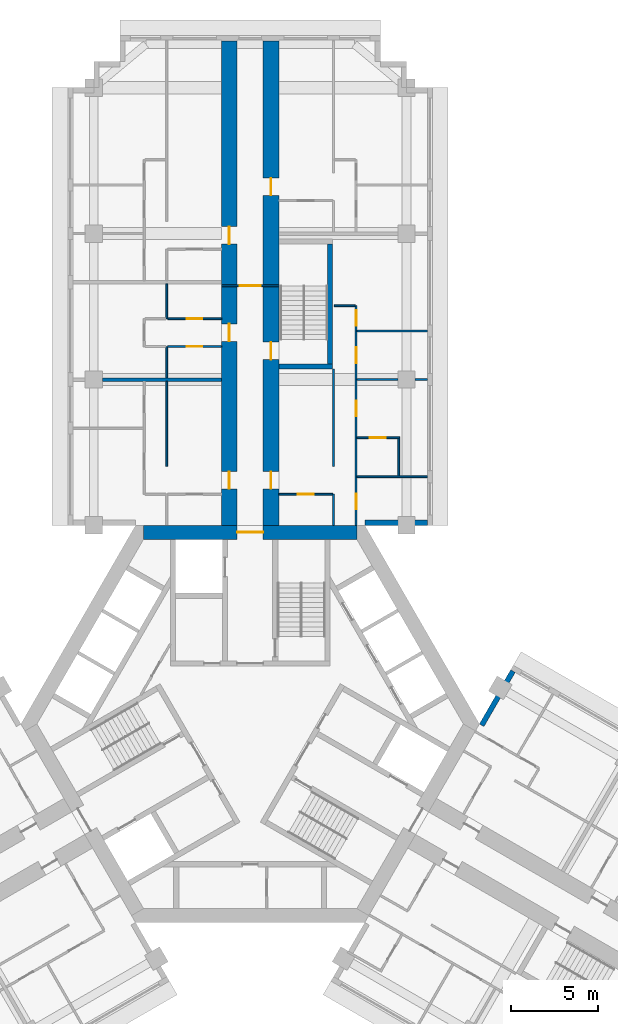
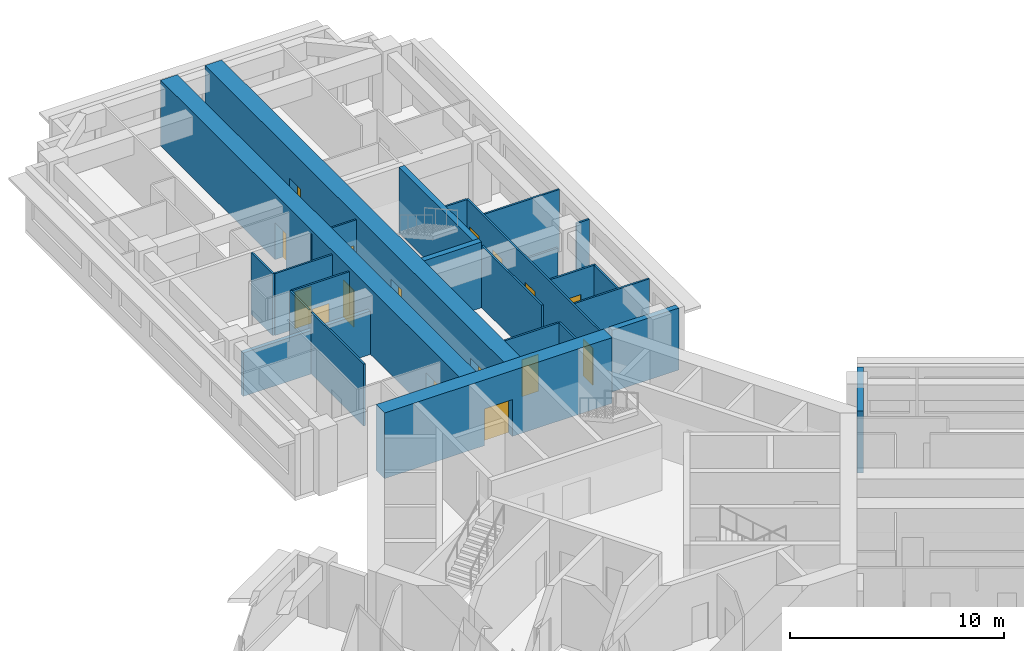
# One storey, part 9 of 14: 25 walls, 16 doors, 16 openings.
"""IFC4 building model written with IfcOpenShell, lengths in metres."""

from ifc_helpers import new_model, si_unit, direction, frame, frame_2d, origin, place, context, subcontext, project, spatial, rectangle, extrude, material, layer, layer_set, type_object, element, fill, save


model = new_model("IFC4")

# Units and contexts
model_context = context("Model", 3, precision=1e-05, world=origin(), true_north=direction((0.0, 1.0)))
body_context = subcontext(model_context, "Body", "Model", "MODEL_VIEW")
ifc_project = project(units=[si_unit("LENGTHUNIT", "METRE"), si_unit("AREAUNIT", "SQUARE_METRE"), si_unit("VOLUMEUNIT", "CUBIC_METRE"), si_unit("PLANEANGLEUNIT", "RADIAN"), si_unit("MASSUNIT", "GRAM", prefix="KILO")], contexts=[model_context])

# Site, building, storey
site_placement = place(None, origin())
site = spatial("IfcSite", under=ifc_project, at=site_placement, CompositionType="ELEMENT")
building_placement = place(site_placement, origin())
building = spatial("IfcBuilding", under=site, at=building_placement, Name="Impinga Residences", CompositionType="ELEMENT")
storey_placement = place(building_placement, frame((0.0, 0.0, 147.25)))
storey = spatial("IfcBuildingStorey", under=building, at=storey_placement, Name="L36", CompositionType="ELEMENT", Elevation=147.25)

# Wall, openings, doors
ifc_material_1 = material(Name="Concrete C60/75", Category="concrete")
ifc_layer_1 = layer(ifc_material_1, 0.89990234375)
ifc_layer_set_1 = layer_set([ifc_layer_1], Name="Concrete C60/75")
wall_type_1 = type_object("IfcWallType", Name="BW2 corridor buttress wall, L24 to L44 900", PredefinedType="SHEAR", material=ifc_layer_set_1)
wall_1_placement = place(storey_placement, frame((-1.199951171875, 11.031494140625, 0.0), z_axis=(0.0, 0.0, 1.0), x_axis=(0.0, 1.0, 0.0)))
wall_1 = element("IfcWall", 1, at=wall_1_placement, inside=storey, type_object=wall_type_1, Name="Corridor wall BW2 NC L36", PredefinedType="SHEAR", context=body_context, shape_type="SweptSolid", body=[
    extrude(rectangle(XDim=28.300048828125, YDim=0.89990234375, at=frame_2d((14.14990234375, 0.0))), origin(), (0.0, 0.0, 1.0), 3.75),
])
opening_1_placement = place(wall_1_placement, frame((2.5, 0.0, 0.0)))
opening_1 = element("IfcOpeningElement", 2, at=opening_1_placement, cuts=wall_1, Name="Opening D1", PredefinedType="OPENING", context=body_context, shape_type="SweptSolid", body=[
    extrude(rectangle(XDim=1.0, YDim=2.10009765625, at=frame_2d((0.5, 1.050048828125))), frame((0.0, 0.4599609375, 0.0), z_axis=(0.0, -1.0, 0.0), x_axis=(1.0, 0.0, 0.0)), (0.0, 0.0, 1.0), 0.919921875),
])
opening_2_placement = place(wall_1_placement, frame((11.0, 0.0, 0.0)))
opening_2 = element("IfcOpeningElement", 3, at=opening_2_placement, cuts=wall_1, Name="Opening D1", PredefinedType="OPENING", context=body_context, shape_type="SweptSolid", body=[
    extrude(rectangle(XDim=1.0, YDim=2.10009765625, at=frame_2d((0.5, 1.050048828125))), frame((0.0, 0.4599609375, 0.0), z_axis=(0.0, -1.0, 0.0), x_axis=(1.0, 0.0, 0.0)), (0.0, 0.0, 1.0), 0.919921875),
])
opening_3_placement = place(wall_1_placement, frame((16.60009765625, 0.0, 0.0)))
opening_3 = element("IfcOpeningElement", 4, at=opening_3_placement, cuts=wall_1, Name="Opening D1", PredefinedType="OPENING", context=body_context, shape_type="SweptSolid", body=[
    extrude(rectangle(XDim=1.0, YDim=2.10009765625, at=frame_2d((0.5, 1.050048828125))), frame((0.0, 0.4599609375, 0.0), z_axis=(0.0, -1.0, 0.0), x_axis=(1.0, 0.0, 0.0)), (0.0, 0.0, 1.0), 0.919921875),
])
ifc_material_2 = material(Name="Timber door set", Category="wood")
door_type_1 = type_object("IfcDoorType", Name="D1 apartment entrance door 1000x2100", OperationType="SINGLE_SWING_LEFT", PredefinedType="DOOR", material=ifc_material_2)
door_1_placement = place(opening_1_placement, origin())
door_1 = element("IfcDoor", 5, at=door_1_placement, inside=storey, type_object=door_type_1, Name="Apartment L36-NA1 entrance", OperationType="SINGLE_SWING_LEFT", OverallHeight=2.10009765625, OverallWidth=1.0, PredefinedType="DOOR", context=body_context, shape_type="SweptSolid", body=[
    extrude(rectangle(XDim=1.0, YDim=2.10009765625, at=frame_2d((0.5, 1.050048828125))), frame((0.0, 0.02490234375, 0.0), z_axis=(0.0, -1.0, 0.0), x_axis=(1.0, 0.0, 0.0)), (0.0, 0.0, 1.0), 0.050048828125),
])
fill(opening_1, door_1)
door_2_placement = place(opening_2_placement, origin())
door_2 = element("IfcDoor", 6, at=door_2_placement, inside=storey, type_object=door_type_1, Name="Apartment L36-NA2 entrance", OperationType="SINGLE_SWING_LEFT", OverallHeight=2.10009765625, OverallWidth=1.0, PredefinedType="DOOR", context=body_context, shape_type="SweptSolid", body=[
    extrude(rectangle(XDim=1.0, YDim=2.10009765625, at=frame_2d((0.5, 1.050048828125))), frame((0.0, 0.02490234375, 0.0), z_axis=(0.0, -1.0, 0.0), x_axis=(1.0, 0.0, 0.0)), (0.0, 0.0, 1.0), 0.050048828125),
])
fill(opening_2, door_2)
door_3_placement = place(opening_3_placement, origin())
door_3 = element("IfcDoor", 7, at=door_3_placement, inside=storey, type_object=door_type_1, Name="Apartment L36-NA3 entrance", OperationType="SINGLE_SWING_RIGHT", OverallHeight=2.10009765625, OverallWidth=1.0, PredefinedType="DOOR", context=body_context, shape_type="SweptSolid", body=[
    extrude(rectangle(XDim=1.0, YDim=2.10009765625, at=frame_2d((0.5, 1.050048828125))), frame((0.0, 0.02490234375, 0.0), z_axis=(0.0, -1.0, 0.0), x_axis=(1.0, 0.0, 0.0)), (0.0, 0.0, 1.0), 0.050048828125),
])
fill(opening_3, door_3)

wall_2_placement = place(storey_placement, frame((1.199951171875, 11.031494140625, 0.0), z_axis=(0.0, 0.0, 1.0), x_axis=(0.0, 1.0, 0.0)))
wall_2 = element("IfcWall", 8, at=wall_2_placement, inside=storey, type_object=wall_type_1, Name="Corridor wall BW2 ND L36", PredefinedType="SHEAR", context=body_context, shape_type="SweptSolid", body=[
    extrude(rectangle(XDim=28.300048828125, YDim=0.89990234375, at=frame_2d((14.14990234375, 0.0))), origin(), (0.0, 0.0, 1.0), 3.75),
])
opening_4_placement = place(wall_2_placement, frame((9.949951171875, 0.0, 0.0)))
opening_4 = element("IfcOpeningElement", 9, at=opening_4_placement, cuts=wall_2, Name="Opening D5", PredefinedType="OPENING", context=body_context, shape_type="SweptSolid", body=[
    extrude(rectangle(XDim=1.0, YDim=2.10009765625, at=frame_2d((0.5, 1.050048828125))), frame((0.0, 0.4599609375, 0.0), z_axis=(0.0, -1.0, 0.0), x_axis=(1.0, 0.0, 0.0)), (0.0, 0.0, 1.0), 0.919921875),
])
opening_5_placement = place(wall_2_placement, frame((2.5, 0.0, 0.0)))
opening_5 = element("IfcOpeningElement", 10, at=opening_5_placement, cuts=wall_2, Name="Opening D1", PredefinedType="OPENING", context=body_context, shape_type="SweptSolid", body=[
    extrude(rectangle(XDim=1.0, YDim=2.10009765625, at=frame_2d((0.5, 1.050048828125))), frame((0.0, 0.4599609375, 0.0), z_axis=(0.0, -1.0, 0.0), x_axis=(1.0, 0.0, 0.0)), (0.0, 0.0, 1.0), 0.919921875),
])
opening_6_placement = place(wall_2_placement, frame((19.39990234375, 0.0, 0.0)))
opening_6 = element("IfcOpeningElement", 11, at=opening_6_placement, cuts=wall_2, Name="Opening D1", PredefinedType="OPENING", context=body_context, shape_type="SweptSolid", body=[
    extrude(rectangle(XDim=1.0, YDim=2.10009765625, at=frame_2d((0.5, 1.050048828125))), frame((0.0, 0.4599609375, 0.0), z_axis=(0.0, -1.0, 0.0), x_axis=(1.0, 0.0, 0.0)), (0.0, 0.0, 1.0), 0.919921875),
])
door_4_placement = place(opening_5_placement, origin())
door_4 = element("IfcDoor", 12, at=door_4_placement, inside=storey, type_object=door_type_1, Name="Apartment L36-NF1 entrance", OperationType="SINGLE_SWING_LEFT", OverallHeight=2.10009765625, OverallWidth=1.0, PredefinedType="DOOR", context=body_context, shape_type="SweptSolid", body=[
    extrude(rectangle(XDim=1.0, YDim=2.10009765625, at=frame_2d((0.5, 1.050048828125))), frame((0.0, 0.02490234375, 0.0), z_axis=(0.0, -1.0, 0.0), x_axis=(1.0, 0.0, 0.0)), (0.0, 0.0, 1.0), 0.050048828125),
])
fill(opening_5, door_4)
door_5_placement = place(opening_6_placement, origin())
door_5 = element("IfcDoor", 13, at=door_5_placement, inside=storey, type_object=door_type_1, Name="Apartment L36-NF2 entrance", OperationType="SINGLE_SWING_RIGHT", OverallHeight=2.10009765625, OverallWidth=1.0, PredefinedType="DOOR", context=body_context, shape_type="SweptSolid", body=[
    extrude(rectangle(XDim=1.0, YDim=2.10009765625, at=frame_2d((0.5, 1.050048828125))), frame((0.0, 0.02490234375, 0.0), z_axis=(0.0, -1.0, 0.0), x_axis=(1.0, 0.0, 0.0)), (0.0, 0.0, 1.0), 0.050048828125),
])
fill(opening_6, door_5)
door_type_2 = type_object("IfcDoorType", Name="D5 stair door 1000x2100", OperationType="SINGLE_SWING_LEFT", PredefinedType="DOOR", material=ifc_material_2)
door_6_placement = place(opening_4_placement, origin())
door_6 = element("IfcDoor", 14, at=door_6_placement, inside=storey, type_object=door_type_2, Name="Wing stair door N", OperationType="SINGLE_SWING_LEFT", OverallHeight=2.10009765625, OverallWidth=1.0, PredefinedType="DOOR", context=body_context, shape_type="SweptSolid", body=[
    extrude(rectangle(XDim=1.0, YDim=2.10009765625, at=frame_2d((0.5, 1.050048828125))), frame((0.0, 0.02490234375, 0.0), z_axis=(0.0, -1.0, 0.0), x_axis=(1.0, 0.0, 0.0)), (0.0, 0.0, 1.0), 0.050048828125),
])
fill(opening_4, door_6)

# Wall, opening, door
ifc_material_3 = material(Name="Concrete blockwork", Category="masonry")
ifc_layer_2 = layer(ifc_material_3, 0.10009765625)
ifc_layer_set_2 = layer_set([ifc_layer_2], Name="CP1 core room partition, blockwork 100")
wall_type_2 = type_object("IfcWallType", Name="CP1 core room partition, blockwork 100", PredefinedType="PARTITIONING", material=ifc_layer_set_2)
wall_3_placement = place(storey_placement, frame((-1.64990234375, 25.2314453125, 0.0), z_axis=(0.0, 0.0, 1.0), x_axis=(1.0, 0.0, 0.0)))
wall_3 = element("IfcWall", 15, at=wall_3_placement, inside=storey, type_object=wall_type_2, Name="Core room partition, blockwork L36:N:PLB", PredefinedType="PARTITIONING", context=body_context, shape_type="SweptSolid", body=[
    extrude(rectangle(XDim=3.2998046875, YDim=0.10009765625, at=frame_2d((1.64990234375, 0.0))), origin(), (0.0, 0.0, 1.0), 3.530029296875),
])
opening_7_placement = place(wall_3_placement, frame((1.050048828125, 0.0, 0.0)))
opening_7 = element("IfcOpeningElement", 16, at=opening_7_placement, cuts=wall_3, Name="Opening D3", PredefinedType="OPENING", context=body_context, shape_type="SweptSolid", body=[
    extrude(rectangle(XDim=1.199951171875, YDim=2.10009765625, at=frame_2d((0.60009765625, 1.050048828125))), frame((0.0, 0.06005859375, 0.0), z_axis=(0.0, -1.0, 0.0), x_axis=(1.0, 0.0, 0.0)), (0.0, 0.0, 1.0), 0.1201171875),
])
door_type_3 = type_object("IfcDoorType", Name="D3 room door, leaf and a half 1200x2100", OperationType="DOUBLE_SWING_LEFT", PredefinedType="DOOR", material=ifc_material_2)
door_7_placement = place(opening_7_placement, origin())
door_7 = element("IfcDoor", 17, at=door_7_placement, inside=storey, type_object=door_type_3, Name="Private lobby door N", OperationType="DOUBLE_SWING_LEFT", OverallHeight=2.10009765625, OverallWidth=1.199951171875, PredefinedType="DOOR", context=body_context, shape_type="SweptSolid", body=[
    extrude(rectangle(XDim=1.199951171875, YDim=2.10009765625, at=frame_2d((0.60009765625, 1.050048828125))), frame((0.0, 0.02490234375, 0.0), z_axis=(0.0, -1.0, 0.0), x_axis=(1.0, 0.0, 0.0)), (0.0, 0.0, 1.0), 0.050048828125),
])
fill(opening_7, door_7)

# Walls
ifc_material_4 = material(Name="Terracotta rainscreen on blockwork", Category="masonry")
ifc_layer_3 = layer(ifc_material_4, 0.300048828125)
ifc_layer_set_3 = layer_set([ifc_layer_3], Name="EW1 external wall, terracotta rainscreen on blockwork 300")
wall_type_3 = type_object("IfcWallType", Name="EW1 external wall, terracotta rainscreen on blockwork 300", PredefinedType="SOLIDWALL", material=ifc_layer_set_3)
wall_4_placement = place(storey_placement, frame((10.199951171875, 11.58154296875, 0.0), z_axis=(0.0, 0.0, 1.0), x_axis=(-1.0, 0.0, 0.0)))
element("IfcWall", 18, at=wall_4_placement, inside=storey, type_object=wall_type_3, Name="External wall EW1 L36", PredefinedType="SOLIDWALL", context=body_context, shape_type="SweptSolid", body=[
    extrude(rectangle(XDim=3.599853515625, YDim=0.300048828125, at=frame_2d((1.7998046875, 0.0))), origin(), (0.0, 0.0, 1.0), 3.530029296875),
])
wall_5_placement = place(storey_placement, frame((13.329833984375, -0.074951171875, 0.0), z_axis=(0.0, 0.0, 1.0), x_axis=(0.500012057535, 0.866018442252, 0.0)))
element("IfcWall", 19, at=wall_5_placement, inside=storey, type_object=wall_type_3, Name="External wall EW1 L36", PredefinedType="SOLIDWALL", context=body_context, shape_type="SweptSolid", body=[
    extrude(rectangle(XDim=3.60009765625, YDim=0.300048828125, at=frame_2d((1.800048828125, 0.0))), origin(), (0.0, 0.0, 1.0), 3.530029296875),
])
ifc_material_5 = material(Name="Gypsum board on steel studs", Category="steel")
ifc_layer_4 = layer(ifc_material_5, 0.10009765625)
ifc_layer_set_4 = layer_set([ifc_layer_4], Name="Gypsum board on steel studs")
wall_type_4 = type_object("IfcWallType", Name="IP1 partition 100", PredefinedType="PARTITIONING", material=ifc_layer_set_4)
wall_6_placement = place(storey_placement, frame((-4.800048828125, 14.83154296875, 0.0), z_axis=(0.0, 0.0, 1.0), x_axis=(0.0, 1.0, 0.0)))
element("IfcWall", 20, at=wall_6_placement, inside=storey, type_object=wall_type_4, Name="Partition L36-NA1:DIV1", PredefinedType="PARTITIONING", context=body_context, shape_type="SweptSolid", body=[
    extrude(rectangle(XDim=4.89990234375, YDim=0.10009765625, at=frame_2d((2.449951171875, 0.0))), origin(), (0.0, 0.0, 1.0), 3.530029296875),
])
wall_7_placement = place(storey_placement, frame((-4.800048828125, 19.931640625, 0.0), z_axis=(0.0, 0.0, 1.0), x_axis=(0.0, 1.0, 0.0)))
element("IfcWall", 21, at=wall_7_placement, inside=storey, type_object=wall_type_4, Name="Partition L36-NA2:DIV0", PredefinedType="PARTITIONING", context=body_context, shape_type="SweptSolid", body=[
    extrude(rectangle(XDim=1.7998046875, YDim=0.10009765625, at=frame_2d((0.89990234375, 0.0))), origin(), (0.0, 0.0, 1.0), 3.530029296875),
])
wall_8_placement = place(storey_placement, frame((-4.800048828125, 23.33154296875, 0.0), z_axis=(0.0, 0.0, 1.0), x_axis=(0.0, 1.0, 0.0)))
element("IfcWall", 22, at=wall_8_placement, inside=storey, type_object=wall_type_4, Name="Partition L36-NA2:DIV1", PredefinedType="PARTITIONING", context=body_context, shape_type="SweptSolid", body=[
    extrude(rectangle(XDim=2.0, YDim=0.10009765625, at=frame_2d((1.0, 0.0))), origin(), (0.0, 0.0, 1.0), 3.530029296875),
])

# Wall, opening, door
wall_9_placement = place(storey_placement, frame((-1.64990234375, 21.7314453125, 0.0), z_axis=(0.0, 0.0, 1.0), x_axis=(-1.0, 0.0, 0.0)))
wall_9 = element("IfcWall", 23, at=wall_9_placement, inside=storey, type_object=wall_type_4, Name="Partition L36-NA2:IB1", PredefinedType="PARTITIONING", context=body_context, shape_type="SweptSolid", body=[
    extrude(rectangle(XDim=3.10009765625, YDim=0.10009765625, at=frame_2d((1.550048828125, 0.0))), origin(), (0.0, 0.0, 1.0), 3.530029296875),
])
opening_8_placement = place(wall_9_placement, frame((1.10009765625, 0.0, 0.0)))
opening_8 = element("IfcOpeningElement", 24, at=opening_8_placement, cuts=wall_9, Name="Opening D2", PredefinedType="OPENING", context=body_context, shape_type="SweptSolid", body=[
    extrude(rectangle(XDim=0.89990234375, YDim=2.10009765625, at=frame_2d((0.449951171875, 1.050048828125))), frame((0.0, 0.06005859375, 0.0), z_axis=(0.0, -1.0, 0.0), x_axis=(1.0, 0.0, 0.0)), (0.0, 0.0, 1.0), 0.1201171875),
])
door_type_4 = type_object("IfcDoorType", Name="D2 internal door 900x2100", OperationType="SINGLE_SWING_LEFT", PredefinedType="DOOR", material=ifc_material_2)
door_8_placement = place(opening_8_placement, origin())
door_8 = element("IfcDoor", 25, at=door_8_placement, inside=storey, type_object=door_type_4, Name="Apartment L36-NA2 bathroom door", OperationType="SINGLE_SWING_LEFT", OverallHeight=2.10009765625, OverallWidth=0.89990234375, PredefinedType="DOOR", context=body_context, shape_type="SweptSolid", body=[
    extrude(rectangle(XDim=0.89990234375, YDim=2.10009765625, at=frame_2d((0.449951171875, 1.050048828125))), frame((0.0, 0.02490234375, 0.0), z_axis=(0.0, -1.0, 0.0), x_axis=(1.0, 0.0, 0.0)), (0.0, 0.0, 1.0), 0.050048828125),
])
fill(opening_8, door_8)

wall_10_placement = place(storey_placement, frame((-1.64990234375, 23.33154296875, 0.0), z_axis=(0.0, 0.0, 1.0), x_axis=(-1.0, 0.0, 0.0)))
wall_10 = element("IfcWall", 26, at=wall_10_placement, inside=storey, type_object=wall_type_4, Name="Partition L36-NA2:IB2", PredefinedType="PARTITIONING", context=body_context, shape_type="SweptSolid", body=[
    extrude(rectangle(XDim=3.10009765625, YDim=0.10009765625, at=frame_2d((1.550048828125, 0.0))), origin(), (0.0, 0.0, 1.0), 3.530029296875),
])
opening_9_placement = place(wall_10_placement, frame((1.10009765625, 0.0, 0.0)))
opening_9 = element("IfcOpeningElement", 27, at=opening_9_placement, cuts=wall_10, Name="Opening D2", PredefinedType="OPENING", context=body_context, shape_type="SweptSolid", body=[
    extrude(rectangle(XDim=0.89990234375, YDim=2.10009765625, at=frame_2d((0.449951171875, 1.050048828125))), frame((0.0, 0.06005859375, 0.0), z_axis=(0.0, -1.0, 0.0), x_axis=(1.0, 0.0, 0.0)), (0.0, 0.0, 1.0), 0.1201171875),
])
door_9_placement = place(opening_9_placement, origin())
door_9 = element("IfcDoor", 28, at=door_9_placement, inside=storey, type_object=door_type_4, Name="Apartment L36-NA2 WC door", OperationType="SINGLE_SWING_LEFT", OverallHeight=2.10009765625, OverallWidth=0.89990234375, PredefinedType="DOOR", context=body_context, shape_type="SweptSolid", body=[
    extrude(rectangle(XDim=0.89990234375, YDim=2.10009765625, at=frame_2d((0.449951171875, 1.050048828125))), frame((0.0, 0.02490234375, 0.0), z_axis=(0.0, -1.0, 0.0), x_axis=(1.0, 0.0, 0.0)), (0.0, 0.0, 1.0), 0.050048828125),
])
fill(opening_9, door_9)

# Walls
wall_11_placement = place(storey_placement, frame((4.800048828125, 11.431640625, 0.0), z_axis=(0.0, 0.0, 1.0), x_axis=(0.0, 1.0, 0.0)))
element("IfcWall", 29, at=wall_11_placement, inside=storey, type_object=wall_type_4, Name="Partition L36-NF1:DIV0", PredefinedType="PARTITIONING", context=body_context, shape_type="SweptSolid", body=[
    extrude(rectangle(XDim=1.7998046875, YDim=0.10009765625, at=frame_2d((0.89990234375, 0.0))), origin(), (0.0, 0.0, 1.0), 3.530029296875),
])
wall_12_placement = place(storey_placement, frame((4.800048828125, 14.83154296875, 0.0), z_axis=(0.0, 0.0, 1.0), x_axis=(0.0, 1.0, 0.0)))
element("IfcWall", 30, at=wall_12_placement, inside=storey, type_object=wall_type_4, Name="Partition L36-NF1:DIV1", PredefinedType="PARTITIONING", context=body_context, shape_type="SweptSolid", body=[
    extrude(rectangle(XDim=5.60009765625, YDim=0.10009765625, at=frame_2d((2.800048828125, 0.0))), origin(), (0.0, 0.0, 1.0), 3.530029296875),
])

# Wall, openings, doors
wall_13_placement = place(storey_placement, frame((6.10009765625, 11.431640625, 0.0), z_axis=(0.0, 0.0, 1.0), x_axis=(0.0, 1.0, 0.0)))
wall_13 = element("IfcWall", 31, at=wall_13_placement, inside=storey, type_object=wall_type_4, Name="Partition L36-NF1:STRIP", PredefinedType="PARTITIONING", context=body_context, shape_type="SweptSolid", body=[
    extrude(rectangle(XDim=12.64990234375, YDim=0.10009765625, at=frame_2d((6.324951171875, 0.0))), origin(), (0.0, 0.0, 1.0), 3.530029296875),
])
opening_10_placement = place(wall_13_placement, frame((0.925048828125, 0.0, 0.0)))
opening_10 = element("IfcOpeningElement", 32, at=opening_10_placement, cuts=wall_13, Name="Opening D2", PredefinedType="OPENING", context=body_context, shape_type="SweptSolid", body=[
    extrude(rectangle(XDim=0.89990234375, YDim=2.10009765625, at=frame_2d((0.449951171875, 1.050048828125))), frame((0.0, 0.06005859375, 0.0), z_axis=(0.0, -1.0, 0.0), x_axis=(1.0, 0.0, 0.0)), (0.0, 0.0, 1.0), 0.1201171875),
])
opening_11_placement = place(wall_13_placement, frame((6.27490234375, 0.0, 0.0)))
opening_11 = element("IfcOpeningElement", 33, at=opening_11_placement, cuts=wall_13, Name="Opening D2", PredefinedType="OPENING", context=body_context, shape_type="SweptSolid", body=[
    extrude(rectangle(XDim=0.89990234375, YDim=2.10009765625, at=frame_2d((0.449951171875, 1.050048828125))), frame((0.0, 0.06005859375, 0.0), z_axis=(0.0, -1.0, 0.0), x_axis=(1.0, 0.0, 0.0)), (0.0, 0.0, 1.0), 0.1201171875),
])
opening_12_placement = place(wall_13_placement, frame((9.35009765625, 0.0, 0.0)))
opening_12 = element("IfcOpeningElement", 34, at=opening_12_placement, cuts=wall_13, Name="Opening D2", PredefinedType="OPENING", context=body_context, shape_type="SweptSolid", body=[
    extrude(rectangle(XDim=0.89990234375, YDim=2.10009765625, at=frame_2d((0.449951171875, 1.050048828125))), frame((0.0, 0.06005859375, 0.0), z_axis=(0.0, -1.0, 0.0), x_axis=(1.0, 0.0, 0.0)), (0.0, 0.0, 1.0), 0.1201171875),
])
opening_13_placement = place(wall_13_placement, frame((11.5, 0.0, 0.0)))
opening_13 = element("IfcOpeningElement", 35, at=opening_13_placement, cuts=wall_13, Name="Opening D2", PredefinedType="OPENING", context=body_context, shape_type="SweptSolid", body=[
    extrude(rectangle(XDim=0.89990234375, YDim=2.10009765625, at=frame_2d((0.449951171875, 1.050048828125))), frame((0.0, 0.06005859375, 0.0), z_axis=(0.0, -1.0, 0.0), x_axis=(1.0, 0.0, 0.0)), (0.0, 0.0, 1.0), 0.1201171875),
])
door_10_placement = place(opening_10_placement, origin())
door_10 = element("IfcDoor", 36, at=door_10_placement, inside=storey, type_object=door_type_4, Name="Apartment L36-NF1 room door", OperationType="SINGLE_SWING_LEFT", OverallHeight=2.10009765625, OverallWidth=0.89990234375, PredefinedType="DOOR", context=body_context, shape_type="SweptSolid", body=[
    extrude(rectangle(XDim=0.89990234375, YDim=2.10009765625, at=frame_2d((0.449951171875, 1.050048828125))), frame((0.0, 0.02490234375, 0.0), z_axis=(0.0, -1.0, 0.0), x_axis=(1.0, 0.0, 0.0)), (0.0, 0.0, 1.0), 0.050048828125),
])
fill(opening_10, door_10)
door_11_placement = place(opening_11_placement, origin())
door_11 = element("IfcDoor", 37, at=door_11_placement, inside=storey, type_object=door_type_4, Name="Apartment L36-NF1 room door", OperationType="SINGLE_SWING_RIGHT", OverallHeight=2.10009765625, OverallWidth=0.89990234375, PredefinedType="DOOR", context=body_context, shape_type="SweptSolid", body=[
    extrude(rectangle(XDim=0.89990234375, YDim=2.10009765625, at=frame_2d((0.449951171875, 1.050048828125))), frame((0.0, 0.02490234375, 0.0), z_axis=(0.0, -1.0, 0.0), x_axis=(1.0, 0.0, 0.0)), (0.0, 0.0, 1.0), 0.050048828125),
])
fill(opening_11, door_11)
door_12_placement = place(opening_12_placement, origin())
door_12 = element("IfcDoor", 38, at=door_12_placement, inside=storey, type_object=door_type_4, Name="Apartment L36-NF1 room door", OperationType="SINGLE_SWING_RIGHT", OverallHeight=2.10009765625, OverallWidth=0.89990234375, PredefinedType="DOOR", context=body_context, shape_type="SweptSolid", body=[
    extrude(rectangle(XDim=0.89990234375, YDim=2.10009765625, at=frame_2d((0.449951171875, 1.050048828125))), frame((0.0, 0.02490234375, 0.0), z_axis=(0.0, -1.0, 0.0), x_axis=(1.0, 0.0, 0.0)), (0.0, 0.0, 1.0), 0.050048828125),
])
fill(opening_12, door_12)
door_13_placement = place(opening_13_placement, origin())
door_13 = element("IfcDoor", 39, at=door_13_placement, inside=storey, type_object=door_type_4, Name="Apartment L36-NF1 room door", OperationType="SINGLE_SWING_RIGHT", OverallHeight=2.10009765625, OverallWidth=0.89990234375, PredefinedType="DOOR", context=body_context, shape_type="SweptSolid", body=[
    extrude(rectangle(XDim=0.89990234375, YDim=2.10009765625, at=frame_2d((0.449951171875, 1.050048828125))), frame((0.0, 0.02490234375, 0.0), z_axis=(0.0, -1.0, 0.0), x_axis=(1.0, 0.0, 0.0)), (0.0, 0.0, 1.0), 0.050048828125),
])
fill(opening_13, door_13)

# Wall
wall_14_placement = place(storey_placement, frame((4.85009765625, 24.08154296875, 0.0), z_axis=(0.0, 0.0, 1.0), x_axis=(1.0, 0.0, 0.0)))
element("IfcWall", 40, at=wall_14_placement, inside=storey, type_object=wall_type_4, Name="Partition L36-NF1:SE1", PredefinedType="PARTITIONING", context=body_context, shape_type="SweptSolid", body=[
    extrude(rectangle(XDim=1.199951171875, YDim=0.10009765625, at=frame_2d((0.60009765625, 0.0))), origin(), (0.0, 0.0, 1.0), 3.530029296875),
])

# Wall, opening, door
wall_15_placement = place(storey_placement, frame((1.64990234375, 13.2314453125, 0.0), z_axis=(0.0, 0.0, 1.0), x_axis=(1.0, 0.0, 0.0)))
wall_15 = element("IfcWall", 41, at=wall_15_placement, inside=storey, type_object=wall_type_4, Name="Partition L36-NF1:IB1", PredefinedType="PARTITIONING", context=body_context, shape_type="SweptSolid", body=[
    extrude(rectangle(XDim=3.10009765625, YDim=0.10009765625, at=frame_2d((1.550048828125, 0.0))), origin(), (0.0, 0.0, 1.0), 3.530029296875),
])
opening_14_placement = place(wall_15_placement, frame((1.10009765625, 0.0, 0.0)))
opening_14 = element("IfcOpeningElement", 42, at=opening_14_placement, cuts=wall_15, Name="Opening D2", PredefinedType="OPENING", context=body_context, shape_type="SweptSolid", body=[
    extrude(rectangle(XDim=0.89990234375, YDim=2.10009765625, at=frame_2d((0.449951171875, 1.050048828125))), frame((0.0, 0.06005859375, 0.0), z_axis=(0.0, -1.0, 0.0), x_axis=(1.0, 0.0, 0.0)), (0.0, 0.0, 1.0), 0.1201171875),
])
door_14_placement = place(opening_14_placement, origin())
door_14 = element("IfcDoor", 43, at=door_14_placement, inside=storey, type_object=door_type_4, Name="Apartment L36-NF1 bathroom door", OperationType="SINGLE_SWING_LEFT", OverallHeight=2.10009765625, OverallWidth=0.89990234375, PredefinedType="DOOR", context=body_context, shape_type="SweptSolid", body=[
    extrude(rectangle(XDim=0.89990234375, YDim=2.10009765625, at=frame_2d((0.449951171875, 1.050048828125))), frame((0.0, 0.02490234375, 0.0), z_axis=(0.0, -1.0, 0.0), x_axis=(1.0, 0.0, 0.0)), (0.0, 0.0, 1.0), 0.050048828125),
])
fill(opening_14, door_14)

# Walls
wall_16_placement = place(storey_placement, frame((6.14990234375, 14.2314453125, 0.0), z_axis=(0.0, 0.0, 1.0), x_axis=(1.0, 0.0, 0.0)))
element("IfcWall", 44, at=wall_16_placement, inside=storey, type_object=wall_type_4, Name="Partition L36-NF1:OB1", PredefinedType="PARTITIONING", context=body_context, shape_type="SweptSolid", body=[
    extrude(rectangle(XDim=4.050048828125, YDim=0.10009765625, at=frame_2d((2.02490234375, 0.0))), origin(), (0.0, 0.0, 1.0), 3.530029296875),
])
wall_17_placement = place(storey_placement, frame((6.14990234375, 19.83154296875, 0.0), z_axis=(0.0, 0.0, 1.0), x_axis=(1.0, 0.0, 0.0)))
element("IfcWall", 45, at=wall_17_placement, inside=storey, type_object=wall_type_4, Name="Partition L36-NF1:OB2", PredefinedType="PARTITIONING", context=body_context, shape_type="SweptSolid", body=[
    extrude(rectangle(XDim=2.35009765625, YDim=0.10009765625, at=frame_2d((1.175048828125, 0.0))), origin(), (0.0, 0.0, 1.0), 2.47998046875),
])
wall_18_placement = place(storey_placement, frame((9.5, 19.83154296875, 0.0), z_axis=(0.0, 0.0, 1.0), x_axis=(1.0, 0.0, 0.0)))
element("IfcWall", 46, at=wall_18_placement, inside=storey, type_object=wall_type_4, Name="Partition L36-NF1:OB2b", PredefinedType="PARTITIONING", context=body_context, shape_type="SweptSolid", body=[
    extrude(rectangle(XDim=0.699951171875, YDim=0.10009765625, at=frame_2d((0.35009765625, 0.0))), origin(), (0.0, 0.0, 1.0), 3.530029296875),
])
wall_19_placement = place(storey_placement, frame((6.14990234375, 22.631591796875, 0.0), z_axis=(0.0, 0.0, 1.0), x_axis=(1.0, 0.0, 0.0)))
element("IfcWall", 47, at=wall_19_placement, inside=storey, type_object=wall_type_4, Name="Partition L36-NF1:OB3", PredefinedType="PARTITIONING", context=body_context, shape_type="SweptSolid", body=[
    extrude(rectangle(XDim=4.050048828125, YDim=0.10009765625, at=frame_2d((2.02490234375, 0.0))), origin(), (0.0, 0.0, 1.0), 3.530029296875),
])

# Wall, opening, door
wall_20_placement = place(storey_placement, frame((6.14990234375, 16.4814453125, 0.0), z_axis=(0.0, 0.0, 1.0), x_axis=(1.0, 0.0, 0.0)))
wall_20 = element("IfcWall", 48, at=wall_20_placement, inside=storey, type_object=wall_type_4, Name="Partition L36-NF1:EN1", PredefinedType="PARTITIONING", context=body_context, shape_type="SweptSolid", body=[
    extrude(rectangle(XDim=2.4501953125, YDim=0.10009765625, at=frame_2d((1.22509765625, 0.0))), origin(), (0.0, 0.0, 1.0), 3.530029296875),
])
opening_15_placement = place(wall_20_placement, frame((0.75, 0.0, 0.0)))
opening_15 = element("IfcOpeningElement", 49, at=opening_15_placement, cuts=wall_20, Name="Opening D2", PredefinedType="OPENING", context=body_context, shape_type="SweptSolid", body=[
    extrude(rectangle(XDim=0.89990234375, YDim=2.10009765625, at=frame_2d((0.449951171875, 1.050048828125))), frame((0.0, 0.06005859375, 0.0), z_axis=(0.0, -1.0, 0.0), x_axis=(1.0, 0.0, 0.0)), (0.0, 0.0, 1.0), 0.1201171875),
])
door_15_placement = place(opening_15_placement, origin())
door_15 = element("IfcDoor", 50, at=door_15_placement, inside=storey, type_object=door_type_4, Name="Apartment L36-NF1 en-suite door", OperationType="SINGLE_SWING_LEFT", OverallHeight=2.10009765625, OverallWidth=0.89990234375, PredefinedType="DOOR", context=body_context, shape_type="SweptSolid", body=[
    extrude(rectangle(XDim=0.89990234375, YDim=2.10009765625, at=frame_2d((0.449951171875, 1.050048828125))), frame((0.0, 0.02490234375, 0.0), z_axis=(0.0, -1.0, 0.0), x_axis=(1.0, 0.0, 0.0)), (0.0, 0.0, 1.0), 0.050048828125),
])
fill(opening_15, door_15)

# Walls
wall_21_placement = place(storey_placement, frame((8.550048828125, 14.281494140625, 0.0), z_axis=(0.0, 0.0, 1.0), x_axis=(0.0, 1.0, 0.0)))
element("IfcWall", 51, at=wall_21_placement, inside=storey, type_object=wall_type_4, Name="Partition L36-NF1:EN2", PredefinedType="PARTITIONING", context=body_context, shape_type="SweptSolid", body=[
    extrude(rectangle(XDim=2.150146484375, YDim=0.10009765625, at=frame_2d((1.0751953125, 0.0))), origin(), (0.0, 0.0, 1.0), 3.530029296875),
])
ifc_layer_5 = layer(ifc_material_3, 0.199951171875)
ifc_layer_set_5 = layer_set([ifc_layer_5], Name="PW1 party wall between apartments 200")
wall_type_5 = type_object("IfcWallType", Name="PW1 party wall between apartments 200", PredefinedType="SOLIDWALL", material=ifc_layer_set_5)
wall_22_placement = place(storey_placement, frame((-1.64990234375, 19.83154296875, 0.0), z_axis=(0.0, 0.0, 1.0), x_axis=(-1.0, 0.0, 0.0)))
element("IfcWall", 52, at=wall_22_placement, inside=storey, type_object=wall_type_5, Name="Party wall between apartments L36-NA1:PARTY", PredefinedType="SOLIDWALL", context=body_context, shape_type="SweptSolid", body=[
    extrude(rectangle(XDim=6.85009765625, YDim=0.199951171875, at=frame_2d((3.425048828125, 0.0))), origin(), (0.0, 0.0, 1.0), 2.47998046875),
])
ifc_layer_6 = layer(ifc_material_1, 0.300048828125)
ifc_layer_set_6 = layer_set([ifc_layer_6], Name="Concrete C60/75")
wall_type_6 = type_object("IfcWallType", Name="SE1 wing stair enclosure wall 300", PredefinedType="SOLIDWALL", material=ifc_layer_set_6)
wall_23_placement = place(storey_placement, frame((1.64990234375, 20.58154296875, 0.0), z_axis=(0.0, 0.0, 1.0), x_axis=(1.0, 0.0, 0.0)))
element("IfcWall", 53, at=wall_23_placement, inside=storey, type_object=wall_type_6, Name="Stair enclosure wall SE1 N END0 L36", PredefinedType="SOLIDWALL", context=body_context, shape_type="SweptSolid", body=[
    extrude(rectangle(XDim=3.10009765625, YDim=0.300048828125, at=frame_2d((1.550048828125, 0.0))), origin(), (0.0, 0.0, 1.0), 3.75),
])
wall_24_placement = place(storey_placement, frame((4.60009765625, 20.7314453125, 0.0), z_axis=(0.0, 0.0, 1.0), x_axis=(0.0, 1.0, 0.0)))
element("IfcWall", 54, at=wall_24_placement, inside=storey, type_object=wall_type_6, Name="Stair enclosure wall SE1 N OUT L36", PredefinedType="SOLIDWALL", context=body_context, shape_type="SweptSolid", body=[
    extrude(rectangle(XDim=6.900146484375, YDim=0.300048828125, at=frame_2d((3.4501953125, 0.0))), origin(), (0.0, 0.0, 1.0), 3.75),
])

# Wall, opening, door
ifc_layer_7 = layer(ifc_material_1, 0.800048828125)
ifc_layer_set_7 = layer_set([ifc_layer_7], Name="Concrete C60/75")
wall_type_7 = type_object("IfcWallType", Name="SW2 core wall 800", PredefinedType="SHEAR", material=ifc_layer_set_7)
wall_25_placement = place(storey_placement, frame((-6.13818359375, 11.031494140625, 0.0), z_axis=(0.0, 0.0, 1.0), x_axis=(1.0, 0.0, 0.0)))
wall_25 = element("IfcWall", 55, at=wall_25_placement, inside=storey, type_object=wall_type_7, Name="Core wall SW2 N:FACE L36", PredefinedType="SHEAR", context=body_context, shape_type="SweptSolid", body=[
    extrude(rectangle(XDim=12.2763671875, YDim=0.800048828125, at=frame_2d((6.13818359375, 0.0))), origin(), (0.0, 0.0, 1.0), 3.75),
])
opening_16_placement = place(wall_25_placement, frame((5.38818359375, 0.0, 0.0)))
opening_16 = element("IfcOpeningElement", 56, at=opening_16_placement, cuts=wall_25, Name="Opening D4", PredefinedType="OPENING", context=body_context, shape_type="SweptSolid", body=[
    extrude(rectangle(XDim=1.5, YDim=2.10009765625, at=frame_2d((0.75, 1.050048828125))), frame((0.0, 0.409912109375, 0.0), z_axis=(0.0, -1.0, 0.0), x_axis=(1.0, 0.0, 0.0)), (0.0, 0.0, 1.0), 0.820068359375),
])
door_type_5 = type_object("IfcDoorType", Name="D4 lobby door pair 1500x2100", OperationType="DOUBLE_DOOR_DOUBLE_SWING", PredefinedType="DOOR", material=ifc_material_2)
door_16_placement = place(opening_16_placement, origin())
door_16 = element("IfcDoor", 57, at=door_16_placement, inside=storey, type_object=door_type_5, Name="Lobby door N", OperationType="DOUBLE_DOOR_DOUBLE_SWING", OverallHeight=2.10009765625, OverallWidth=1.5, PredefinedType="DOOR", context=body_context, shape_type="SweptSolid", body=[
    extrude(rectangle(XDim=1.5, YDim=2.10009765625, at=frame_2d((0.75, 1.050048828125))), frame((0.0, 0.02490234375, 0.0), z_axis=(0.0, -1.0, 0.0), x_axis=(1.0, 0.0, 0.0)), (0.0, 0.0, 1.0), 0.050048828125),
])
fill(opening_16, door_16)

save(model, "model.ifc")
